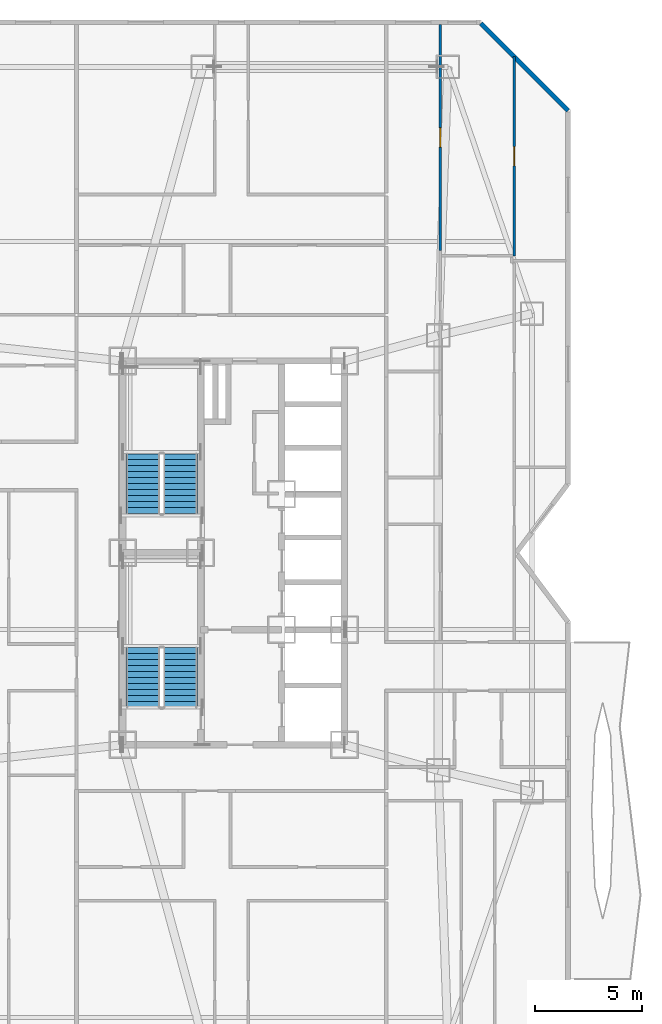
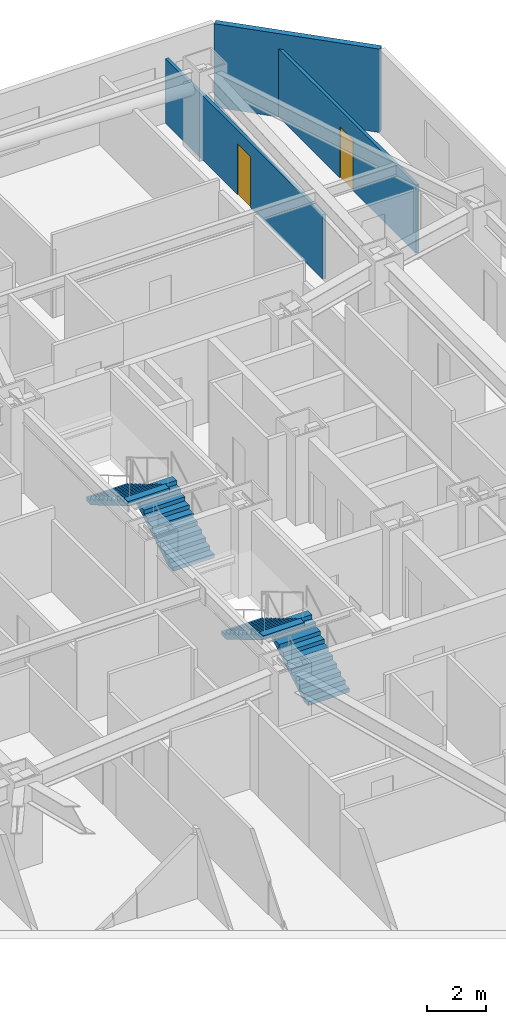
# One storey, part 14 of 16: 4 stair flights, 3 walls, 2 doors, 2 openings, 2 elements without a shape of their own.
"""IFC4 building model written with IfcOpenShell, lengths in metres."""

from ifc_helpers import new_model, si_unit, direction, frame, frame_2d, origin, place, context, subcontext, project, spatial, polyline, rectangle, outline, extrude, material, layer, layer_set, type_object, element, fill, aggregate, save


model = new_model("IFC4")

# Units and contexts
model_context = context("Model", 3, precision=1e-05, world=origin(), true_north=direction((0.0, 1.0)))
body_context = subcontext(model_context, "Body", "Model", "MODEL_VIEW")
ifc_project = project(units=[si_unit("LENGTHUNIT", "METRE"), si_unit("AREAUNIT", "SQUARE_METRE"), si_unit("VOLUMEUNIT", "CUBIC_METRE"), si_unit("PLANEANGLEUNIT", "RADIAN"), si_unit("MASSUNIT", "GRAM", prefix="KILO")], contexts=[model_context])

# Site, building, storey
site_placement = place(None, origin())
site = spatial("IfcSite", under=ifc_project, at=site_placement, CompositionType="ELEMENT")
building_placement = place(site_placement, origin())
building = spatial("IfcBuilding", under=site, at=building_placement, Name="Khamvora Tower", CompositionType="ELEMENT")
storey_placement = place(building_placement, frame((0.0, 0.0, 55.199951171875)))
storey = spatial("IfcBuildingStorey", under=building, at=storey_placement, Name="L13", CompositionType="ELEMENT", Elevation=55.199951171875)

# Wall
ifc_material_1 = material(Name="Precast concrete C40/50", Category="concrete")
ifc_layer_1 = layer(ifc_material_1, 0.219970703125)
ifc_layer_set_1 = layer_set([ifc_layer_1], Name="Precast concrete C40/50")
wall_type_1 = type_object("IfcWallType", Name="WAL-EXT-220", PredefinedType="STANDARD", material=ifc_layer_set_1)
wall_1_placement = place(storey_placement, frame((45.802001953125, 52.842041015625, 0.0), z_axis=(0.0, 0.0, 1.0), x_axis=(0.707085666273, -0.70712789547, 0.0)))
element("IfcWall", 1, at=wall_1_placement, inside=storey, type_object=wall_type_1, Name="L13 exterior facade wall 08.1", PredefinedType="STANDARD", context=body_context, shape_type="SweptSolid", body=[
    extrude(rectangle(XDim=5.78125, YDim=0.219970703125, at=frame_2d((2.890625, 0.0))), origin(), (0.0, 0.0, 1.0), 3.429931640625),
])

# Wall, opening, door
ifc_material_2 = material(Name="Gypsum Plasterboard Partition", Category="gypsum")
ifc_layer_2 = layer(ifc_material_2, 0.1201171875)
ifc_layer_set_2 = layer_set([ifc_layer_2], Name="Gypsum Plasterboard Partition")
wall_type_2 = type_object("IfcWallType", Name="WAL-PART-120", PredefinedType="PARTITIONING", material=ifc_layer_set_2)
wall_2_placement = place(storey_placement, frame((43.89501953125, 52.7880859375, 0.0), z_axis=(0.0, 0.0, 1.0), x_axis=(0.0, -1.0, 0.0)))
wall_2 = element("IfcWall", 2, at=wall_2_placement, inside=storey, type_object=wall_type_2, Name="L13 interior partition wall 134", PredefinedType="PARTITIONING", context=body_context, shape_type="SweptSolid", body=[
    extrude(rectangle(XDim=10.608154296875, YDim=0.1201171875, at=frame_2d((5.30419921875, 0.0))), origin(), (0.0, 0.0, 1.0), 2.64697265625),
])
opening_1_placement = place(wall_2_placement, frame((4.85400390625, 0.0, 0.0)))
opening_1 = element("IfcOpeningElement", 3, at=opening_1_placement, cuts=wall_2, Name="Opening D-RM1", PredefinedType="OPENING", context=body_context, shape_type="SweptSolid", body=[
    extrude(rectangle(XDim=0.89990234375, YDim=2.10009765625, at=frame_2d((0.449951171875, 1.050048828125))), frame((0.0, 0.070068359375, 0.0), z_axis=(0.0, -1.0, 0.0), x_axis=(1.0, 0.0, 0.0)), (0.0, 0.0, 1.0), 0.14013671875),
])
ifc_material_3 = material(Name="Powder-Coated Steel and Hardwood Leaf", Category="steel")
door_type = type_object("IfcDoorType", Name="DOR-ROOM-900", OperationType="NOTDEFINED", PredefinedType="DOOR", material=ifc_material_3)
door_1_placement = place(opening_1_placement, origin())
door_1 = element("IfcDoor", 4, at=door_1_placement, inside=storey, type_object=door_type, Name="L13 interior door 13EBW2-13EBD", OperationType="SINGLE_SWING_RIGHT", OverallHeight=2.10009765625, OverallWidth=0.89990234375, PredefinedType="DOOR", context=body_context, shape_type="SweptSolid", body=[
    extrude(rectangle(XDim=0.89990234375, YDim=2.10009765625, at=frame_2d((0.449951171875, 1.050048828125))), frame((0.0, 0.02490234375, 0.0), z_axis=(0.0, -1.0, 0.0), x_axis=(1.0, 0.0, 0.0)), (0.0, 0.0, 1.0), 0.050048828125),
])
fill(opening_1, door_1)

wall_3_placement = place(storey_placement, frame((47.375, 51.278076171875, 0.0), z_axis=(0.0, 0.0, 1.0), x_axis=(0.0, -1.0, 0.0)))
wall_3 = element("IfcWall", 5, at=wall_3_placement, inside=storey, type_object=wall_type_2, Name="L13 interior partition wall 144", PredefinedType="PARTITIONING", context=body_context, shape_type="SweptSolid", body=[
    extrude(rectangle(XDim=9.34716796875, YDim=0.1201171875, at=frame_2d((4.673583984375, 0.0))), origin(), (0.0, 0.0, 1.0), 2.802978515625),
])
opening_2_placement = place(wall_3_placement, frame((4.222900390625, 0.0, 0.0)))
opening_2 = element("IfcOpeningElement", 6, at=opening_2_placement, cuts=wall_3, Name="Opening D-RM1", PredefinedType="OPENING", context=body_context, shape_type="SweptSolid", body=[
    extrude(rectangle(XDim=0.89990234375, YDim=2.10009765625, at=frame_2d((0.449951171875, 1.050048828125))), frame((0.0, 0.070068359375, 0.0), z_axis=(0.0, -1.0, 0.0), x_axis=(1.0, 0.0, 0.0)), (0.0, 0.0, 1.0), 0.14013671875),
])
door_2_placement = place(opening_2_placement, origin())
door_2 = element("IfcDoor", 7, at=door_2_placement, inside=storey, type_object=door_type, Name="L13 interior door 13EBD-13EBR3", OperationType="SINGLE_SWING_RIGHT", OverallHeight=2.10009765625, OverallWidth=0.89990234375, PredefinedType="DOOR", context=body_context, shape_type="SweptSolid", body=[
    extrude(rectangle(XDim=0.89990234375, YDim=2.10009765625, at=frame_2d((0.449951171875, 1.050048828125))), frame((0.0, 0.02490234375, 0.0), z_axis=(0.0, -1.0, 0.0), x_axis=(1.0, 0.0, 0.0)), (0.0, 0.0, 1.0), 0.050048828125),
])
fill(opening_2, door_2)

# Stair, stair flights
ifc_material_4 = material(Name="Concrete C40/50", Category="concrete")
stair_type_1 = type_object("IfcStairType", Name="STR-ST-01", PredefinedType="HALF_TURN_STAIR", material=ifc_material_4)
stair_1_placement = place(storey_placement, origin())
stair_1 = element("IfcStair", 8, at=stair_1_placement, inside=storey, type_object=stair_type_1, Name="L13 South Tower Exit Stair ST-01", PredefinedType="HALF_TURN_STAIR")
stair_flight_type_1 = type_object("IfcStairFlightType", Name="STF-ST-01", PredefinedType="STRAIGHT", material=ifc_material_4)
stair_flight_1_placement = place(storey_placement, frame((31.699951171875, 20.75, 0.0), z_axis=(0.0, 0.0, 1.0), x_axis=(0.0, 1.0, 0.0)))
stair_flight_1 = element("IfcStairFlight", 9, at=stair_flight_1_placement, type_object=stair_flight_type_1, Name="ST-01 flight 1", NumberOfRisers=11, NumberOfTreads=10, PredefinedType="STRAIGHT", RiserHeight=0.165909091, TreadLength=0.28, context=body_context, shape_type="SweptSolid", body=[
    extrude(outline(polyline([(0.0, 0.0), (0.0, 0.166015625), (0.280029296875, 0.166015625), (0.280029296875, 0.331787109375), (0.56005859375, 0.331787109375), (0.56005859375, 0.497802734375), (0.840087890625, 0.497802734375), (0.840087890625, 0.66357421875), (1.1201171875, 0.66357421875), (1.1201171875, 0.82958984375), (1.39990234375, 0.82958984375), (1.39990234375, 0.995361328125), (1.679931640625, 0.995361328125), (1.679931640625, 1.161376953125), (1.9599609375, 1.161376953125), (1.9599609375, 1.327392578125), (2.239990234375, 1.327392578125), (2.239990234375, 1.4931640625), (2.52001953125, 1.4931640625), (2.52001953125, 1.6591796875), (2.800048828125, 1.6591796875), (2.800048828125, 1.824951171875), (2.800048828125, 1.48486328125), (0.2939453125, 0.0), (0.0, 0.0)])), frame((0.0, 0.800048828125, 0.0), z_axis=(0.0, -1.0, 0.0), x_axis=(1.0, 0.0, 0.0)), (0.0, 0.0, 1.0), 1.60009765625),
])
stair_flight_2_placement = place(storey_placement, frame((29.949951171875, 23.550048828125, 1.824951171875), z_axis=(0.0, 0.0, 1.0), x_axis=(0.0, -1.0, 0.0)))
stair_flight_2 = element("IfcStairFlight", 10, at=stair_flight_2_placement, type_object=stair_flight_type_1, Name="ST-01 flight 2", NumberOfRisers=11, NumberOfTreads=10, PredefinedType="STRAIGHT", RiserHeight=0.165909091, TreadLength=0.28, context=body_context, shape_type="SweptSolid", body=[
    extrude(outline(polyline([(0.0, 0.0), (0.0, 0.166015625), (0.280029296875, 0.166015625), (0.280029296875, 0.331787109375), (0.56005859375, 0.331787109375), (0.56005859375, 0.497802734375), (0.840087890625, 0.497802734375), (0.840087890625, 0.66357421875), (1.1201171875, 0.66357421875), (1.1201171875, 0.82958984375), (1.39990234375, 0.82958984375), (1.39990234375, 0.995361328125), (1.679931640625, 0.995361328125), (1.679931640625, 1.161376953125), (1.9599609375, 1.161376953125), (1.9599609375, 1.327392578125), (2.239990234375, 1.327392578125), (2.239990234375, 1.4931640625), (2.52001953125, 1.4931640625), (2.52001953125, 1.6591796875), (2.800048828125, 1.6591796875), (2.800048828125, 1.824951171875), (2.800048828125, 1.48486328125), (0.2939453125, 0.0), (0.0, 0.0)])), frame((0.0, 0.800048828125, 0.0), z_axis=(0.0, -1.0, 0.0), x_axis=(1.0, 0.0, 0.0)), (0.0, 0.0, 1.0), 1.60009765625),
])
aggregate(stair_1, [stair_flight_1, stair_flight_2])

stair_type_2 = type_object("IfcStairType", Name="STR-ST-02", PredefinedType="HALF_TURN_STAIR", material=ifc_material_4)
stair_2_placement = place(storey_placement, origin())
stair_2 = element("IfcStair", 11, at=stair_2_placement, inside=storey, type_object=stair_type_2, Name="L13 North Tower Exit Stair ST-02", PredefinedType="HALF_TURN_STAIR")
stair_flight_type_2 = type_object("IfcStairFlightType", Name="STF-ST-02", PredefinedType="STRAIGHT", material=ifc_material_4)
stair_flight_3_placement = place(storey_placement, frame((31.699951171875, 29.85009765625, 0.0), z_axis=(0.0, 0.0, 1.0), x_axis=(0.0, 1.0, 0.0)))
stair_flight_3 = element("IfcStairFlight", 12, at=stair_flight_3_placement, type_object=stair_flight_type_2, Name="ST-02 flight 1", NumberOfRisers=11, NumberOfTreads=10, PredefinedType="STRAIGHT", RiserHeight=0.165909091, TreadLength=0.28, context=body_context, shape_type="SweptSolid", body=[
    extrude(outline(polyline([(0.0, 0.0), (0.0, 0.166015625), (0.280029296875, 0.166015625), (0.280029296875, 0.331787109375), (0.56005859375, 0.331787109375), (0.56005859375, 0.497802734375), (0.840087890625, 0.497802734375), (0.840087890625, 0.66357421875), (1.1201171875, 0.66357421875), (1.1201171875, 0.82958984375), (1.39990234375, 0.82958984375), (1.39990234375, 0.995361328125), (1.679931640625, 0.995361328125), (1.679931640625, 1.161376953125), (1.9599609375, 1.161376953125), (1.9599609375, 1.327392578125), (2.239990234375, 1.327392578125), (2.239990234375, 1.4931640625), (2.52001953125, 1.4931640625), (2.52001953125, 1.6591796875), (2.800048828125, 1.6591796875), (2.800048828125, 1.824951171875), (2.800048828125, 1.48486328125), (0.2939453125, 0.0), (0.0, 0.0)])), frame((0.0, 0.800048828125, 0.0), z_axis=(0.0, -1.0, 0.0), x_axis=(1.0, 0.0, 0.0)), (0.0, 0.0, 1.0), 1.60009765625),
])
stair_flight_4_placement = place(storey_placement, frame((29.949951171875, 32.64990234375, 1.824951171875), z_axis=(0.0, 0.0, 1.0), x_axis=(0.0, -1.0, 0.0)))
stair_flight_4 = element("IfcStairFlight", 13, at=stair_flight_4_placement, type_object=stair_flight_type_2, Name="ST-02 flight 2", NumberOfRisers=11, NumberOfTreads=10, PredefinedType="STRAIGHT", RiserHeight=0.165909091, TreadLength=0.28, context=body_context, shape_type="SweptSolid", body=[
    extrude(outline(polyline([(0.0, 0.0), (0.0, 0.166015625), (0.280029296875, 0.166015625), (0.280029296875, 0.331787109375), (0.56005859375, 0.331787109375), (0.56005859375, 0.497802734375), (0.840087890625, 0.497802734375), (0.840087890625, 0.66357421875), (1.1201171875, 0.66357421875), (1.1201171875, 0.82958984375), (1.39990234375, 0.82958984375), (1.39990234375, 0.995361328125), (1.679931640625, 0.995361328125), (1.679931640625, 1.161376953125), (1.9599609375, 1.161376953125), (1.9599609375, 1.327392578125), (2.239990234375, 1.327392578125), (2.239990234375, 1.4931640625), (2.52001953125, 1.4931640625), (2.52001953125, 1.6591796875), (2.800048828125, 1.6591796875), (2.800048828125, 1.824951171875), (2.800048828125, 1.48486328125), (0.2939453125, 0.0), (0.0, 0.0)])), frame((0.0, 0.800048828125, 0.0), z_axis=(0.0, -1.0, 0.0), x_axis=(1.0, 0.0, 0.0)), (0.0, 0.0, 1.0), 1.60009765625),
])
aggregate(stair_2, [stair_flight_3, stair_flight_4])

save(model, "model.ifc")
